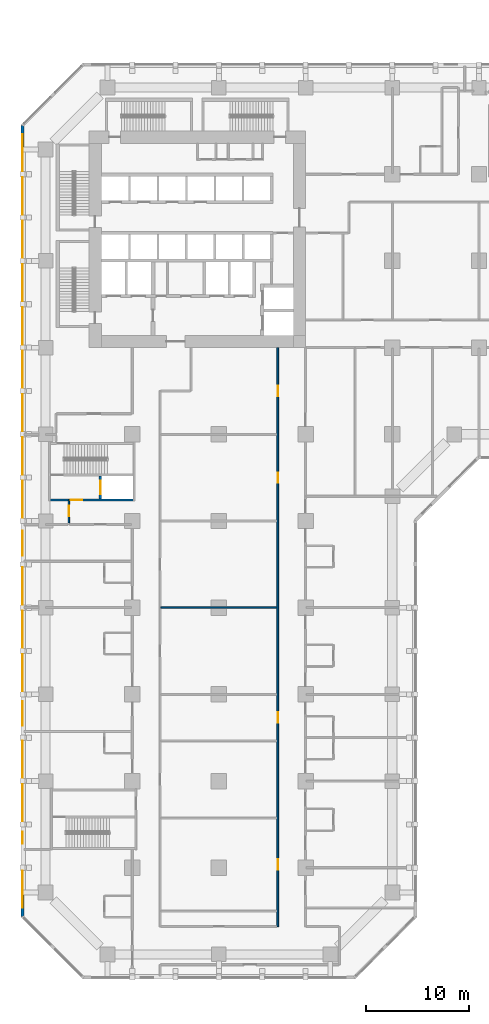
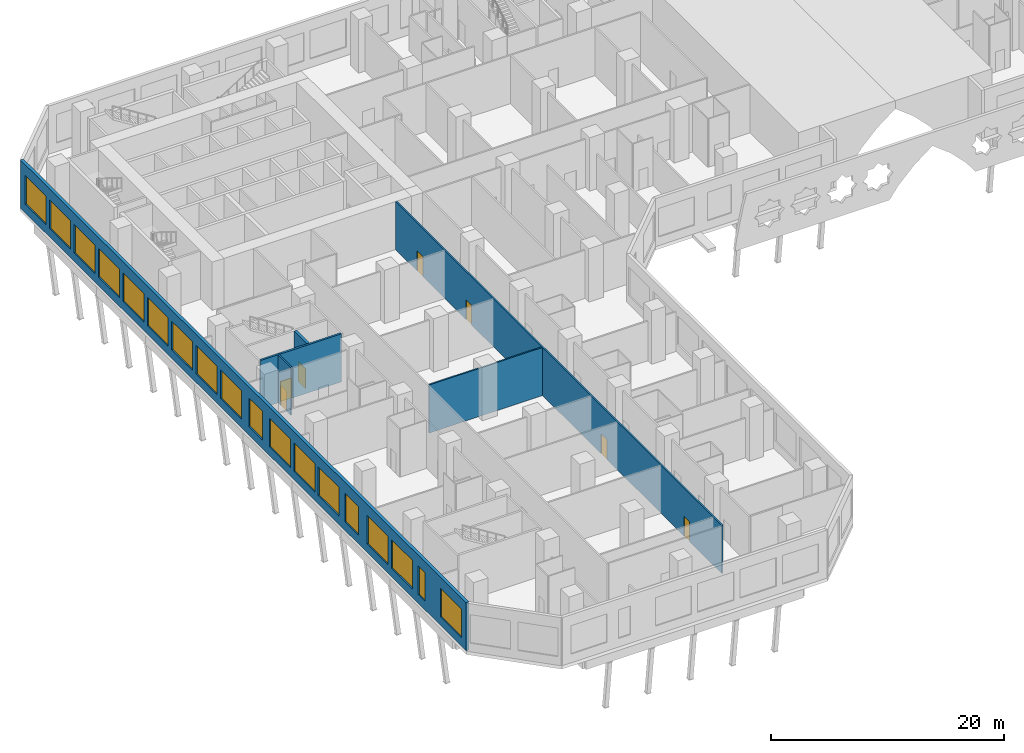
# One storey, part 6 of 24: 18 windows, 7 doors, 6 walls, 25 openings.
"""IFC4 building model written with IfcOpenShell, lengths in metres."""

from ifc_helpers import new_model, si_unit, direction, frame, frame_2d, origin, place, context, subcontext, project, spatial, rectangle, extrude, material, layer, layer_set, type_object, element, fill, save


model = new_model("IFC4")

# Units and contexts
model_context = context("Model", 3, precision=1e-05, world=origin(), true_north=direction((0.0, 1.0)))
body_context = subcontext(model_context, "Body", "Model", "MODEL_VIEW")
ifc_project = project(units=[si_unit("LENGTHUNIT", "METRE"), si_unit("AREAUNIT", "SQUARE_METRE"), si_unit("VOLUMEUNIT", "CUBIC_METRE"), si_unit("PLANEANGLEUNIT", "RADIAN"), si_unit("MASSUNIT", "GRAM", prefix="KILO")], contexts=[model_context])

# Site, building, storey
site_placement = place(None, origin())
site = spatial("IfcSite", under=ifc_project, at=site_placement, CompositionType="ELEMENT")
building_placement = place(site_placement, origin())
building = spatial("IfcBuilding", under=site, at=building_placement, Name="Kawkab Arch Medical Tower", CompositionType="ELEMENT")
storey_placement = place(building_placement, frame((0.0, 0.0, 18.199951171875)))
storey = spatial("IfcBuildingStorey", under=building, at=storey_placement, Name="L04", CompositionType="ELEMENT", Elevation=18.199951171875)

# Wall, opening, door
ifc_material_1 = material(Name="Concrete C60/75", Category="concrete")
ifc_layer_1 = layer(ifc_material_1, 0.25)
ifc_layer_set_1 = layer_set([ifc_layer_1], Name="Concrete C60/75")
wall_type_1 = type_object("IfcWallType", Name="Core shear wall 250 C60/75", PredefinedType="SHEAR", material=ifc_layer_set_1)
wall_1_placement = place(storey_placement, frame((5.300048828125, -39.85009765625, 0.0), z_axis=(0.0, 0.0, 1.0), x_axis=(0.0, 1.0, 0.0)))
wall_1 = element("IfcWall", 1, at=wall_1_placement, inside=storey, type_object=wall_type_1, Name="L04 core shear wall", PredefinedType="SHEAR", context=body_context, shape_type="SweptSolid", body=[
    extrude(rectangle(XDim=2.2001953125, YDim=0.25, at=frame_2d((1.10009765625, 0.0))), origin(), (0.0, 0.0, 1.0), 5.050048828125),
])
opening_1_placement = place(wall_1_placement, frame((0.449951171875, 0.0, 0.0)))
opening_1 = element("IfcOpeningElement", 2, at=opening_1_placement, cuts=wall_1, Name="Opening LD2", PredefinedType="OPENING", context=body_context, shape_type="SweptSolid", body=[
    extrude(rectangle(XDim=1.300048828125, YDim=2.10009765625, at=frame_2d((0.64990234375, 1.050048828125))), frame((0.0, 0.135009765625, 0.0), z_axis=(0.0, -1.0, 0.0), x_axis=(1.0, 0.0, 0.0)), (0.0, 0.0, 1.0), 0.27001953125),
])
ifc_material_2 = material(Name="Stainless steel lift door leaf", Category="steel")
door_type_1 = type_object("IfcDoorType", Name="Lift landing door 1300", OperationType="DOUBLE_DOOR_SLIDING", PredefinedType="DOOR", material=ifc_material_2)
door_1_placement = place(opening_1_placement, origin())
door_1 = element("IfcDoor", 3, at=door_1_placement, inside=storey, type_object=door_type_1, Name="L04 Lift landing door SV2", OperationType="DOUBLE_DOOR_SLIDING", OverallHeight=2.10009765625, OverallWidth=1.300048828125, PredefinedType="DOOR", context=body_context, shape_type="SweptSolid", body=[
    extrude(rectangle(XDim=1.300048828125, YDim=2.10009765625, at=frame_2d((0.64990234375, 1.050048828125))), frame((0.0, 0.02490234375, 0.0), z_axis=(0.0, -1.0, 0.0), x_axis=(1.0, 0.0, 0.0)), (0.0, 0.0, 1.0), 0.050048828125),
])
fill(opening_1, door_1)

# Wall
ifc_material_3 = material(Name="Gypsum board partition on steel studs, mineral wool", Category="steel")
ifc_layer_2 = layer(ifc_material_3, 0.14990234375)
ifc_layer_set_2 = layer_set([ifc_layer_2], Name="Gypsum board partition on steel studs, mineral wool")
wall_type_2 = type_object("IfcWallType", Name="Partition 150", PredefinedType="PARTITIONING", material=ifc_layer_set_2)
wall_2_placement = place(storey_placement, frame((11.175048828125, -50.39990234375, 0.0), z_axis=(0.0, 0.0, 1.0), x_axis=(1.0, 0.0, 0.0)))
element("IfcWall", 4, at=wall_2_placement, inside=storey, type_object=wall_type_2, Name="Partition 150 w058", PredefinedType="PARTITIONING", context=body_context, shape_type="SweptSolid", body=[
    extrude(rectangle(XDim=11.25, YDim=0.14990234375, at=frame_2d((5.625, 0.0))), origin(), (0.0, 0.0, 1.0), 5.050048828125),
])

# Wall, opening, door
wall_3_placement = place(storey_placement, frame((2.25, -42.215087890625, 0.0), z_axis=(0.0, 0.0, 1.0), x_axis=(0.0, 1.0, 0.0)))
wall_3 = element("IfcWall", 5, at=wall_3_placement, inside=storey, type_object=wall_type_2, Name="Partition 150 w090", PredefinedType="PARTITIONING", context=body_context, shape_type="SweptSolid", body=[
    extrude(rectangle(XDim=2.215087890625, YDim=0.14990234375, at=frame_2d((1.107421875, 0.0))), origin(), (0.0, 0.0, 1.0), 5.050048828125),
])
opening_2_placement = place(wall_3_placement, frame((0.68994140625, 0.0, 0.0)))
opening_2 = element("IfcOpeningElement", 6, at=opening_2_placement, cuts=wall_3, Name="Opening P04-027", PredefinedType="OPENING", context=body_context, shape_type="SweptSolid", body=[
    extrude(rectangle(XDim=1.0, YDim=2.10009765625, at=frame_2d((0.5, 1.050048828125))), frame((0.0, 0.0849609375, 0.0), z_axis=(0.0, -1.0, 0.0), x_axis=(1.0, 0.0, 0.0)), (0.0, 0.0, 1.0), 0.169921875),
])
ifc_material_4 = material(Name="Hollow metal door leaf")
door_type_2 = type_object("IfcDoorType", Name="Single door 1000x2100 FD30S", OperationType="NOTDEFINED", PredefinedType="DOOR", material=ifc_material_4)
door_2_placement = place(opening_2_placement, origin())
door_2 = element("IfcDoor", 7, at=door_2_placement, inside=storey, type_object=door_type_2, Name="Door P04-027", OperationType="SINGLE_SWING_RIGHT", OverallHeight=2.10009765625, OverallWidth=1.0, PredefinedType="DOOR", context=body_context, shape_type="SweptSolid", body=[
    extrude(rectangle(XDim=1.0, YDim=2.10009765625, at=frame_2d((0.5, 1.050048828125))), frame((0.0, 0.02490234375, 0.0), z_axis=(0.0, -1.0, 0.0), x_axis=(1.0, 0.0, 0.0)), (0.0, 0.0, 1.0), 0.050048828125),
])
fill(opening_2, door_2)

# Wall, openings, doors
wall_4_placement = place(storey_placement, frame((22.5, -81.300048828125, 0.0), z_axis=(0.0, 0.0, 1.0), x_axis=(0.0, 1.0, 0.0)))
wall_4 = element("IfcWall", 8, at=wall_4_placement, inside=storey, type_object=wall_type_2, Name="Partition 150 w097", PredefinedType="PARTITIONING", context=body_context, shape_type="SweptSolid", body=[
    extrude(rectangle(XDim=56.10009765625, YDim=0.14990234375, at=frame_2d((28.050048828125, 0.0))), origin(), (0.0, 0.0, 1.0), 5.050048828125),
])
opening_3_placement = place(wall_4_placement, frame((51.39990234375, 0.0, 0.0)))
opening_3 = element("IfcOpeningElement", 9, at=opening_3_placement, cuts=wall_4, Name="Opening P04-029", PredefinedType="OPENING", context=body_context, shape_type="SweptSolid", body=[
    extrude(rectangle(XDim=1.0, YDim=2.10009765625, at=frame_2d((0.5, 1.050048828125))), frame((0.0, 0.0849609375, 0.0), z_axis=(0.0, -1.0, 0.0), x_axis=(1.0, 0.0, 0.0)), (0.0, 0.0, 1.0), 0.169921875),
])
opening_4_placement = place(wall_4_placement, frame((43.0, 0.0, 0.0)))
opening_4 = element("IfcOpeningElement", 10, at=opening_4_placement, cuts=wall_4, Name="Opening P04-030", PredefinedType="OPENING", context=body_context, shape_type="SweptSolid", body=[
    extrude(rectangle(XDim=1.0, YDim=2.10009765625, at=frame_2d((0.5, 1.050048828125))), frame((0.0, 0.0849609375, 0.0), z_axis=(0.0, -1.0, 0.0), x_axis=(1.0, 0.0, 0.0)), (0.0, 0.0, 1.0), 0.169921875),
])
opening_5_placement = place(wall_4_placement, frame((19.75, 0.0, 0.0)))
opening_5 = element("IfcOpeningElement", 11, at=opening_5_placement, cuts=wall_4, Name="Opening P04-033", PredefinedType="OPENING", context=body_context, shape_type="SweptSolid", body=[
    extrude(rectangle(XDim=1.0, YDim=2.10009765625, at=frame_2d((0.5, 1.050048828125))), frame((0.0, 0.0849609375, 0.0), z_axis=(0.0, -1.0, 0.0), x_axis=(1.0, 0.0, 0.0)), (0.0, 0.0, 1.0), 0.169921875),
])
opening_6_placement = place(wall_4_placement, frame((5.5, 0.0, 0.0)))
opening_6 = element("IfcOpeningElement", 12, at=opening_6_placement, cuts=wall_4, Name="Opening P04-035", PredefinedType="OPENING", context=body_context, shape_type="SweptSolid", body=[
    extrude(rectangle(XDim=1.0, YDim=2.10009765625, at=frame_2d((0.5, 1.050048828125))), frame((0.0, 0.0849609375, 0.0), z_axis=(0.0, -1.0, 0.0), x_axis=(1.0, 0.0, 0.0)), (0.0, 0.0, 1.0), 0.169921875),
])
door_3_placement = place(opening_3_placement, origin())
door_3 = element("IfcDoor", 13, at=door_3_placement, inside=storey, type_object=door_type_2, Name="Door P04-029", OperationType="SINGLE_SWING_RIGHT", OverallHeight=2.10009765625, OverallWidth=1.0, PredefinedType="DOOR", context=body_context, shape_type="SweptSolid", body=[
    extrude(rectangle(XDim=1.0, YDim=2.10009765625, at=frame_2d((0.5, 1.050048828125))), frame((0.0, 0.02490234375, 0.0), z_axis=(0.0, -1.0, 0.0), x_axis=(1.0, 0.0, 0.0)), (0.0, 0.0, 1.0), 0.050048828125),
])
fill(opening_3, door_3)
door_4_placement = place(opening_4_placement, origin())
door_4 = element("IfcDoor", 14, at=door_4_placement, inside=storey, type_object=door_type_2, Name="Door P04-030", OperationType="SINGLE_SWING_RIGHT", OverallHeight=2.10009765625, OverallWidth=1.0, PredefinedType="DOOR", context=body_context, shape_type="SweptSolid", body=[
    extrude(rectangle(XDim=1.0, YDim=2.10009765625, at=frame_2d((0.5, 1.050048828125))), frame((0.0, 0.02490234375, 0.0), z_axis=(0.0, -1.0, 0.0), x_axis=(1.0, 0.0, 0.0)), (0.0, 0.0, 1.0), 0.050048828125),
])
fill(opening_4, door_4)
door_5_placement = place(opening_5_placement, origin())
door_5 = element("IfcDoor", 15, at=door_5_placement, inside=storey, type_object=door_type_2, Name="Door P04-033", OperationType="SINGLE_SWING_LEFT", OverallHeight=2.10009765625, OverallWidth=1.0, PredefinedType="DOOR", context=body_context, shape_type="SweptSolid", body=[
    extrude(rectangle(XDim=1.0, YDim=2.10009765625, at=frame_2d((0.5, 1.050048828125))), frame((0.0, 0.02490234375, 0.0), z_axis=(0.0, -1.0, 0.0), x_axis=(1.0, 0.0, 0.0)), (0.0, 0.0, 1.0), 0.050048828125),
])
fill(opening_5, door_5)
door_6_placement = place(opening_6_placement, origin())
door_6 = element("IfcDoor", 16, at=door_6_placement, inside=storey, type_object=door_type_2, Name="Door P04-035", OperationType="SINGLE_SWING_LEFT", OverallHeight=2.10009765625, OverallWidth=1.0, PredefinedType="DOOR", context=body_context, shape_type="SweptSolid", body=[
    extrude(rectangle(XDim=1.0, YDim=2.10009765625, at=frame_2d((0.5, 1.050048828125))), frame((0.0, 0.02490234375, 0.0), z_axis=(0.0, -1.0, 0.0), x_axis=(1.0, 0.0, 0.0)), (0.0, 0.0, 1.0), 0.050048828125),
])
fill(opening_6, door_6)

# Wall, openings, windows
ifc_material_5 = material(Name="Bronze clad insulated wall panel")
ifc_layer_3 = layer(ifc_material_5, 0.300048828125)
ifc_layer_set_3 = layer_set([ifc_layer_3], Name="Bronze clad insulated wall panel")
wall_type_3 = type_object("IfcWallType", Name="Podium external wall 300", PredefinedType="SOLIDWALL", material=ifc_layer_set_3)
wall_5_placement = place(storey_placement, frame((-2.25, -3.662109375, 0.0), z_axis=(0.0, 0.0, 1.0), x_axis=(0.0, -1.0, 0.0)))
wall_5 = element("IfcWall", 17, at=wall_5_placement, inside=storey, type_object=wall_type_3, Name="Podium external wall L04 R07", PredefinedType="SOLIDWALL", context=body_context, shape_type="SweptSolid", body=[
    extrude(rectangle(XDim=76.67578125, YDim=0.300048828125, at=frame_2d((38.337890625, 0.0))), origin(), (0.0, 0.0, 1.0), 5.050048828125),
])
opening_7_placement = place(wall_5_placement, frame((0.837890625, 0.0, 0.89990234375)))
opening_7 = element("IfcOpeningElement", 18, at=opening_7_placement, cuts=wall_5, Name="Opening PBW360-30-S9", PredefinedType="OPENING", context=body_context, shape_type="SweptSolid", body=[
    extrude(rectangle(XDim=3.60009765625, YDim=3.0, at=frame_2d((1.800048828125, 1.5))), frame((0.0, 0.159912109375, 0.0), z_axis=(0.0, -1.0, 0.0), x_axis=(1.0, 0.0, 0.0)), (0.0, 0.0, 1.0), 0.320068359375),
])
opening_8_placement = place(wall_5_placement, frame((5.037841796875, 0.0, 0.89990234375)))
opening_8 = element("IfcOpeningElement", 19, at=opening_8_placement, cuts=wall_5, Name="Opening PBW360-30-S9", PredefinedType="OPENING", context=body_context, shape_type="SweptSolid", body=[
    extrude(rectangle(XDim=3.60009765625, YDim=3.0, at=frame_2d((1.800048828125, 1.5))), frame((0.0, 0.159912109375, 0.0), z_axis=(0.0, -1.0, 0.0), x_axis=(1.0, 0.0, 0.0)), (0.0, 0.0, 1.0), 0.320068359375),
])
opening_9_placement = place(wall_5_placement, frame((9.23779296875, 0.0, 0.89990234375)))
opening_9 = element("IfcOpeningElement", 20, at=opening_9_placement, cuts=wall_5, Name="Opening PBW360-30-S9", PredefinedType="OPENING", context=body_context, shape_type="SweptSolid", body=[
    extrude(rectangle(XDim=3.60009765625, YDim=3.0, at=frame_2d((1.800048828125, 1.5))), frame((0.0, 0.159912109375, 0.0), z_axis=(0.0, -1.0, 0.0), x_axis=(1.0, 0.0, 0.0)), (0.0, 0.0, 1.0), 0.320068359375),
])
opening_10_placement = place(wall_5_placement, frame((13.43798828125, 0.0, 0.89990234375)))
opening_10 = element("IfcOpeningElement", 21, at=opening_10_placement, cuts=wall_5, Name="Opening PBW360-30-S9", PredefinedType="OPENING", context=body_context, shape_type="SweptSolid", body=[
    extrude(rectangle(XDim=3.60009765625, YDim=3.0, at=frame_2d((1.800048828125, 1.5))), frame((0.0, 0.159912109375, 0.0), z_axis=(0.0, -1.0, 0.0), x_axis=(1.0, 0.0, 0.0)), (0.0, 0.0, 1.0), 0.320068359375),
])
opening_11_placement = place(wall_5_placement, frame((17.637939453125, 0.0, 0.89990234375)))
opening_11 = element("IfcOpeningElement", 22, at=opening_11_placement, cuts=wall_5, Name="Opening PBW360-30-S9", PredefinedType="OPENING", context=body_context, shape_type="SweptSolid", body=[
    extrude(rectangle(XDim=3.60009765625, YDim=3.0, at=frame_2d((1.800048828125, 1.5))), frame((0.0, 0.159912109375, 0.0), z_axis=(0.0, -1.0, 0.0), x_axis=(1.0, 0.0, 0.0)), (0.0, 0.0, 1.0), 0.320068359375),
])
opening_12_placement = place(wall_5_placement, frame((21.837890625, 0.0, 0.89990234375)))
opening_12 = element("IfcOpeningElement", 23, at=opening_12_placement, cuts=wall_5, Name="Opening PBW360-30-S9", PredefinedType="OPENING", context=body_context, shape_type="SweptSolid", body=[
    extrude(rectangle(XDim=3.60009765625, YDim=3.0, at=frame_2d((1.800048828125, 1.5))), frame((0.0, 0.159912109375, 0.0), z_axis=(0.0, -1.0, 0.0), x_axis=(1.0, 0.0, 0.0)), (0.0, 0.0, 1.0), 0.320068359375),
])
opening_13_placement = place(wall_5_placement, frame((26.037841796875, 0.0, 0.89990234375)))
opening_13 = element("IfcOpeningElement", 24, at=opening_13_placement, cuts=wall_5, Name="Opening PBW360-30-S9", PredefinedType="OPENING", context=body_context, shape_type="SweptSolid", body=[
    extrude(rectangle(XDim=3.60009765625, YDim=3.0, at=frame_2d((1.800048828125, 1.5))), frame((0.0, 0.159912109375, 0.0), z_axis=(0.0, -1.0, 0.0), x_axis=(1.0, 0.0, 0.0)), (0.0, 0.0, 1.0), 0.320068359375),
])
opening_14_placement = place(wall_5_placement, frame((30.23779296875, 0.0, 0.89990234375)))
opening_14 = element("IfcOpeningElement", 25, at=opening_14_placement, cuts=wall_5, Name="Opening PBW360-30-S9", PredefinedType="OPENING", context=body_context, shape_type="SweptSolid", body=[
    extrude(rectangle(XDim=3.60009765625, YDim=3.0, at=frame_2d((1.800048828125, 1.5))), frame((0.0, 0.159912109375, 0.0), z_axis=(0.0, -1.0, 0.0), x_axis=(1.0, 0.0, 0.0)), (0.0, 0.0, 1.0), 0.320068359375),
])
opening_15_placement = place(wall_5_placement, frame((34.43798828125, 0.0, 0.89990234375)))
opening_15 = element("IfcOpeningElement", 26, at=opening_15_placement, cuts=wall_5, Name="Opening PBW360-30-S9", PredefinedType="OPENING", context=body_context, shape_type="SweptSolid", body=[
    extrude(rectangle(XDim=3.60009765625, YDim=3.0, at=frame_2d((1.800048828125, 1.5))), frame((0.0, 0.159912109375, 0.0), z_axis=(0.0, -1.0, 0.0), x_axis=(1.0, 0.0, 0.0)), (0.0, 0.0, 1.0), 0.320068359375),
])
opening_16_placement = place(wall_5_placement, frame((39.287841796875, 0.0, 0.89990234375)))
opening_16 = element("IfcOpeningElement", 27, at=opening_16_placement, cuts=wall_5, Name="Opening PBW240-30-S9", PredefinedType="OPENING", context=body_context, shape_type="SweptSolid", body=[
    extrude(rectangle(XDim=2.39990234375, YDim=3.0, at=frame_2d((1.199951171875, 1.5))), frame((0.0, 0.159912109375, 0.0), z_axis=(0.0, -1.0, 0.0), x_axis=(1.0, 0.0, 0.0)), (0.0, 0.0, 1.0), 0.320068359375),
])
opening_17_placement = place(wall_5_placement, frame((42.837890625, 0.0, 0.89990234375)))
opening_17 = element("IfcOpeningElement", 28, at=opening_17_placement, cuts=wall_5, Name="Opening PBW360-30-S9", PredefinedType="OPENING", context=body_context, shape_type="SweptSolid", body=[
    extrude(rectangle(XDim=3.60009765625, YDim=3.0, at=frame_2d((1.800048828125, 1.5))), frame((0.0, 0.159912109375, 0.0), z_axis=(0.0, -1.0, 0.0), x_axis=(1.0, 0.0, 0.0)), (0.0, 0.0, 1.0), 0.320068359375),
])
opening_18_placement = place(wall_5_placement, frame((47.037841796875, 0.0, 0.89990234375)))
opening_18 = element("IfcOpeningElement", 29, at=opening_18_placement, cuts=wall_5, Name="Opening PBW360-30-S9", PredefinedType="OPENING", context=body_context, shape_type="SweptSolid", body=[
    extrude(rectangle(XDim=3.60009765625, YDim=3.0, at=frame_2d((1.800048828125, 1.5))), frame((0.0, 0.159912109375, 0.0), z_axis=(0.0, -1.0, 0.0), x_axis=(1.0, 0.0, 0.0)), (0.0, 0.0, 1.0), 0.320068359375),
])
opening_19_placement = place(wall_5_placement, frame((51.23779296875, 0.0, 0.89990234375)))
opening_19 = element("IfcOpeningElement", 30, at=opening_19_placement, cuts=wall_5, Name="Opening PBW360-30-S9", PredefinedType="OPENING", context=body_context, shape_type="SweptSolid", body=[
    extrude(rectangle(XDim=3.60009765625, YDim=3.0, at=frame_2d((1.800048828125, 1.5))), frame((0.0, 0.159912109375, 0.0), z_axis=(0.0, -1.0, 0.0), x_axis=(1.0, 0.0, 0.0)), (0.0, 0.0, 1.0), 0.320068359375),
])
opening_20_placement = place(wall_5_placement, frame((55.802978515625, 0.0, 0.89990234375)))
opening_20 = element("IfcOpeningElement", 31, at=opening_20_placement, cuts=wall_5, Name="Opening PBW240-30-S9", PredefinedType="OPENING", context=body_context, shape_type="SweptSolid", body=[
    extrude(rectangle(XDim=2.39990234375, YDim=3.0, at=frame_2d((1.199951171875, 1.5))), frame((0.0, 0.159912109375, 0.0), z_axis=(0.0, -1.0, 0.0), x_axis=(1.0, 0.0, 0.0)), (0.0, 0.0, 1.0), 0.320068359375),
])
opening_21_placement = place(wall_5_placement, frame((59.637939453125, 0.0, 0.89990234375)))
opening_21 = element("IfcOpeningElement", 32, at=opening_21_placement, cuts=wall_5, Name="Opening PBW360-30-S9", PredefinedType="OPENING", context=body_context, shape_type="SweptSolid", body=[
    extrude(rectangle(XDim=3.60009765625, YDim=3.0, at=frame_2d((1.800048828125, 1.5))), frame((0.0, 0.159912109375, 0.0), z_axis=(0.0, -1.0, 0.0), x_axis=(1.0, 0.0, 0.0)), (0.0, 0.0, 1.0), 0.320068359375),
])
opening_22_placement = place(wall_5_placement, frame((63.837890625, 0.0, 0.89990234375)))
opening_22 = element("IfcOpeningElement", 33, at=opening_22_placement, cuts=wall_5, Name="Opening PBW360-30-S9", PredefinedType="OPENING", context=body_context, shape_type="SweptSolid", body=[
    extrude(rectangle(XDim=3.60009765625, YDim=3.0, at=frame_2d((1.800048828125, 1.5))), frame((0.0, 0.159912109375, 0.0), z_axis=(0.0, -1.0, 0.0), x_axis=(1.0, 0.0, 0.0)), (0.0, 0.0, 1.0), 0.320068359375),
])
opening_23_placement = place(wall_5_placement, frame((68.43798828125, 0.0, 0.89990234375)))
opening_23 = element("IfcOpeningElement", 34, at=opening_23_placement, cuts=wall_5, Name="Opening PBW120-30-S9", PredefinedType="OPENING", context=body_context, shape_type="SweptSolid", body=[
    extrude(rectangle(XDim=1.199951171875, YDim=3.0, at=frame_2d((0.60009765625, 1.5))), frame((0.0, 0.159912109375, 0.0), z_axis=(0.0, -1.0, 0.0), x_axis=(1.0, 0.0, 0.0)), (0.0, 0.0, 1.0), 0.320068359375),
])
opening_24_placement = place(wall_5_placement, frame((72.23779296875, 0.0, 0.89990234375)))
opening_24 = element("IfcOpeningElement", 35, at=opening_24_placement, cuts=wall_5, Name="Opening PBW360-30-S9", PredefinedType="OPENING", context=body_context, shape_type="SweptSolid", body=[
    extrude(rectangle(XDim=3.60009765625, YDim=3.0, at=frame_2d((1.800048828125, 1.5))), frame((0.0, 0.159912109375, 0.0), z_axis=(0.0, -1.0, 0.0), x_axis=(1.0, 0.0, 0.0)), (0.0, 0.0, 1.0), 0.320068359375),
])
ifc_material_6 = material(Name="Bronze anodised aluminium louvred window", Category="aluminium")
window_type_1 = type_object("IfcWindowType", Name="Podium band window 1200 x 3000 sill 900", PartitioningType="DOUBLE_PANEL_VERTICAL", PredefinedType="WINDOW", material=ifc_material_6)
window_1_placement = place(opening_23_placement, origin())
window_1 = element("IfcWindow", 36, at=window_1_placement, inside=storey, type_object=window_type_1, Name="Band window L04 R07.17", OverallHeight=3.0, OverallWidth=1.199951171875, PartitioningType="SINGLE_PANEL", PredefinedType="WINDOW", context=body_context, shape_type="SweptSolid", body=[
    extrude(rectangle(XDim=1.199951171875, YDim=3.0, at=frame_2d((0.60009765625, 1.5))), frame((0.0, 0.030029296875, 0.0), z_axis=(0.0, -1.0, 0.0), x_axis=(1.0, 0.0, 0.0)), (0.0, 0.0, 1.0), 0.06005859375),
])
fill(opening_23, window_1)
ifc_material_7 = material(Name="Bronze anodised aluminium louvred window", Category="aluminium")
window_type_2 = type_object("IfcWindowType", Name="Podium band window 2400 x 3000 sill 900", PartitioningType="DOUBLE_PANEL_VERTICAL", PredefinedType="WINDOW", material=ifc_material_7)
window_2_placement = place(opening_16_placement, origin())
window_2 = element("IfcWindow", 37, at=window_2_placement, inside=storey, type_object=window_type_2, Name="Band window L04 R07.10", OverallHeight=3.0, OverallWidth=2.39990234375, PartitioningType="SINGLE_PANEL", PredefinedType="WINDOW", context=body_context, shape_type="SweptSolid", body=[
    extrude(rectangle(XDim=2.39990234375, YDim=3.0, at=frame_2d((1.199951171875, 1.5))), frame((0.0, 0.030029296875, 0.0), z_axis=(0.0, -1.0, 0.0), x_axis=(1.0, 0.0, 0.0)), (0.0, 0.0, 1.0), 0.06005859375),
])
fill(opening_16, window_2)
window_3_placement = place(opening_20_placement, origin())
window_3 = element("IfcWindow", 38, at=window_3_placement, inside=storey, type_object=window_type_2, Name="Band window L04 R07.14", OverallHeight=3.0, OverallWidth=2.39990234375, PartitioningType="SINGLE_PANEL", PredefinedType="WINDOW", context=body_context, shape_type="SweptSolid", body=[
    extrude(rectangle(XDim=2.39990234375, YDim=3.0, at=frame_2d((1.199951171875, 1.5))), frame((0.0, 0.030029296875, 0.0), z_axis=(0.0, -1.0, 0.0), x_axis=(1.0, 0.0, 0.0)), (0.0, 0.0, 1.0), 0.06005859375),
])
fill(opening_20, window_3)
ifc_material_8 = material(Name="Bronze anodised aluminium louvred window", Category="aluminium")
window_type_3 = type_object("IfcWindowType", Name="Podium band window 3600 x 3000 sill 900", PartitioningType="DOUBLE_PANEL_VERTICAL", PredefinedType="WINDOW", material=ifc_material_8)
window_4_placement = place(opening_7_placement, origin())
window_4 = element("IfcWindow", 39, at=window_4_placement, inside=storey, type_object=window_type_3, Name="Band window L04 R07.1", OverallHeight=3.0, OverallWidth=3.60009765625, PartitioningType="SINGLE_PANEL", PredefinedType="WINDOW", context=body_context, shape_type="SweptSolid", body=[
    extrude(rectangle(XDim=3.60009765625, YDim=3.0, at=frame_2d((1.800048828125, 1.5))), frame((0.0, 0.030029296875, 0.0), z_axis=(0.0, -1.0, 0.0), x_axis=(1.0, 0.0, 0.0)), (0.0, 0.0, 1.0), 0.06005859375),
])
fill(opening_7, window_4)
window_5_placement = place(opening_8_placement, origin())
window_5 = element("IfcWindow", 40, at=window_5_placement, inside=storey, type_object=window_type_3, Name="Band window L04 R07.2", OverallHeight=3.0, OverallWidth=3.60009765625, PartitioningType="SINGLE_PANEL", PredefinedType="WINDOW", context=body_context, shape_type="SweptSolid", body=[
    extrude(rectangle(XDim=3.60009765625, YDim=3.0, at=frame_2d((1.800048828125, 1.5))), frame((0.0, 0.030029296875, 0.0), z_axis=(0.0, -1.0, 0.0), x_axis=(1.0, 0.0, 0.0)), (0.0, 0.0, 1.0), 0.06005859375),
])
fill(opening_8, window_5)
window_6_placement = place(opening_9_placement, origin())
window_6 = element("IfcWindow", 41, at=window_6_placement, inside=storey, type_object=window_type_3, Name="Band window L04 R07.3", OverallHeight=3.0, OverallWidth=3.60009765625, PartitioningType="SINGLE_PANEL", PredefinedType="WINDOW", context=body_context, shape_type="SweptSolid", body=[
    extrude(rectangle(XDim=3.60009765625, YDim=3.0, at=frame_2d((1.800048828125, 1.5))), frame((0.0, 0.030029296875, 0.0), z_axis=(0.0, -1.0, 0.0), x_axis=(1.0, 0.0, 0.0)), (0.0, 0.0, 1.0), 0.06005859375),
])
fill(opening_9, window_6)
window_7_placement = place(opening_10_placement, origin())
window_7 = element("IfcWindow", 42, at=window_7_placement, inside=storey, type_object=window_type_3, Name="Band window L04 R07.4", OverallHeight=3.0, OverallWidth=3.60009765625, PartitioningType="SINGLE_PANEL", PredefinedType="WINDOW", context=body_context, shape_type="SweptSolid", body=[
    extrude(rectangle(XDim=3.60009765625, YDim=3.0, at=frame_2d((1.800048828125, 1.5))), frame((0.0, 0.030029296875, 0.0), z_axis=(0.0, -1.0, 0.0), x_axis=(1.0, 0.0, 0.0)), (0.0, 0.0, 1.0), 0.06005859375),
])
fill(opening_10, window_7)
window_8_placement = place(opening_11_placement, origin())
window_8 = element("IfcWindow", 43, at=window_8_placement, inside=storey, type_object=window_type_3, Name="Band window L04 R07.5", OverallHeight=3.0, OverallWidth=3.60009765625, PartitioningType="SINGLE_PANEL", PredefinedType="WINDOW", context=body_context, shape_type="SweptSolid", body=[
    extrude(rectangle(XDim=3.60009765625, YDim=3.0, at=frame_2d((1.800048828125, 1.5))), frame((0.0, 0.030029296875, 0.0), z_axis=(0.0, -1.0, 0.0), x_axis=(1.0, 0.0, 0.0)), (0.0, 0.0, 1.0), 0.06005859375),
])
fill(opening_11, window_8)
window_9_placement = place(opening_12_placement, origin())
window_9 = element("IfcWindow", 44, at=window_9_placement, inside=storey, type_object=window_type_3, Name="Band window L04 R07.6", OverallHeight=3.0, OverallWidth=3.60009765625, PartitioningType="SINGLE_PANEL", PredefinedType="WINDOW", context=body_context, shape_type="SweptSolid", body=[
    extrude(rectangle(XDim=3.60009765625, YDim=3.0, at=frame_2d((1.800048828125, 1.5))), frame((0.0, 0.030029296875, 0.0), z_axis=(0.0, -1.0, 0.0), x_axis=(1.0, 0.0, 0.0)), (0.0, 0.0, 1.0), 0.06005859375),
])
fill(opening_12, window_9)
window_10_placement = place(opening_13_placement, origin())
window_10 = element("IfcWindow", 45, at=window_10_placement, inside=storey, type_object=window_type_3, Name="Band window L04 R07.7", OverallHeight=3.0, OverallWidth=3.60009765625, PartitioningType="SINGLE_PANEL", PredefinedType="WINDOW", context=body_context, shape_type="SweptSolid", body=[
    extrude(rectangle(XDim=3.60009765625, YDim=3.0, at=frame_2d((1.800048828125, 1.5))), frame((0.0, 0.030029296875, 0.0), z_axis=(0.0, -1.0, 0.0), x_axis=(1.0, 0.0, 0.0)), (0.0, 0.0, 1.0), 0.06005859375),
])
fill(opening_13, window_10)
window_11_placement = place(opening_14_placement, origin())
window_11 = element("IfcWindow", 46, at=window_11_placement, inside=storey, type_object=window_type_3, Name="Band window L04 R07.8", OverallHeight=3.0, OverallWidth=3.60009765625, PartitioningType="SINGLE_PANEL", PredefinedType="WINDOW", context=body_context, shape_type="SweptSolid", body=[
    extrude(rectangle(XDim=3.60009765625, YDim=3.0, at=frame_2d((1.800048828125, 1.5))), frame((0.0, 0.030029296875, 0.0), z_axis=(0.0, -1.0, 0.0), x_axis=(1.0, 0.0, 0.0)), (0.0, 0.0, 1.0), 0.06005859375),
])
fill(opening_14, window_11)
window_12_placement = place(opening_15_placement, origin())
window_12 = element("IfcWindow", 47, at=window_12_placement, inside=storey, type_object=window_type_3, Name="Band window L04 R07.9", OverallHeight=3.0, OverallWidth=3.60009765625, PartitioningType="SINGLE_PANEL", PredefinedType="WINDOW", context=body_context, shape_type="SweptSolid", body=[
    extrude(rectangle(XDim=3.60009765625, YDim=3.0, at=frame_2d((1.800048828125, 1.5))), frame((0.0, 0.030029296875, 0.0), z_axis=(0.0, -1.0, 0.0), x_axis=(1.0, 0.0, 0.0)), (0.0, 0.0, 1.0), 0.06005859375),
])
fill(opening_15, window_12)
window_13_placement = place(opening_17_placement, origin())
window_13 = element("IfcWindow", 48, at=window_13_placement, inside=storey, type_object=window_type_3, Name="Band window L04 R07.11", OverallHeight=3.0, OverallWidth=3.60009765625, PartitioningType="SINGLE_PANEL", PredefinedType="WINDOW", context=body_context, shape_type="SweptSolid", body=[
    extrude(rectangle(XDim=3.60009765625, YDim=3.0, at=frame_2d((1.800048828125, 1.5))), frame((0.0, 0.030029296875, 0.0), z_axis=(0.0, -1.0, 0.0), x_axis=(1.0, 0.0, 0.0)), (0.0, 0.0, 1.0), 0.06005859375),
])
fill(opening_17, window_13)
window_14_placement = place(opening_18_placement, origin())
window_14 = element("IfcWindow", 49, at=window_14_placement, inside=storey, type_object=window_type_3, Name="Band window L04 R07.12", OverallHeight=3.0, OverallWidth=3.60009765625, PartitioningType="SINGLE_PANEL", PredefinedType="WINDOW", context=body_context, shape_type="SweptSolid", body=[
    extrude(rectangle(XDim=3.60009765625, YDim=3.0, at=frame_2d((1.800048828125, 1.5))), frame((0.0, 0.030029296875, 0.0), z_axis=(0.0, -1.0, 0.0), x_axis=(1.0, 0.0, 0.0)), (0.0, 0.0, 1.0), 0.06005859375),
])
fill(opening_18, window_14)
window_15_placement = place(opening_19_placement, origin())
window_15 = element("IfcWindow", 50, at=window_15_placement, inside=storey, type_object=window_type_3, Name="Band window L04 R07.13", OverallHeight=3.0, OverallWidth=3.60009765625, PartitioningType="SINGLE_PANEL", PredefinedType="WINDOW", context=body_context, shape_type="SweptSolid", body=[
    extrude(rectangle(XDim=3.60009765625, YDim=3.0, at=frame_2d((1.800048828125, 1.5))), frame((0.0, 0.030029296875, 0.0), z_axis=(0.0, -1.0, 0.0), x_axis=(1.0, 0.0, 0.0)), (0.0, 0.0, 1.0), 0.06005859375),
])
fill(opening_19, window_15)
window_16_placement = place(opening_21_placement, origin())
window_16 = element("IfcWindow", 51, at=window_16_placement, inside=storey, type_object=window_type_3, Name="Band window L04 R07.15", OverallHeight=3.0, OverallWidth=3.60009765625, PartitioningType="SINGLE_PANEL", PredefinedType="WINDOW", context=body_context, shape_type="SweptSolid", body=[
    extrude(rectangle(XDim=3.60009765625, YDim=3.0, at=frame_2d((1.800048828125, 1.5))), frame((0.0, 0.030029296875, 0.0), z_axis=(0.0, -1.0, 0.0), x_axis=(1.0, 0.0, 0.0)), (0.0, 0.0, 1.0), 0.06005859375),
])
fill(opening_21, window_16)
window_17_placement = place(opening_22_placement, origin())
window_17 = element("IfcWindow", 52, at=window_17_placement, inside=storey, type_object=window_type_3, Name="Band window L04 R07.16", OverallHeight=3.0, OverallWidth=3.60009765625, PartitioningType="SINGLE_PANEL", PredefinedType="WINDOW", context=body_context, shape_type="SweptSolid", body=[
    extrude(rectangle(XDim=3.60009765625, YDim=3.0, at=frame_2d((1.800048828125, 1.5))), frame((0.0, 0.030029296875, 0.0), z_axis=(0.0, -1.0, 0.0), x_axis=(1.0, 0.0, 0.0)), (0.0, 0.0, 1.0), 0.06005859375),
])
fill(opening_22, window_17)
window_18_placement = place(opening_24_placement, origin())
window_18 = element("IfcWindow", 53, at=window_18_placement, inside=storey, type_object=window_type_3, Name="Band window L04 R07.18", OverallHeight=3.0, OverallWidth=3.60009765625, PartitioningType="SINGLE_PANEL", PredefinedType="WINDOW", context=body_context, shape_type="SweptSolid", body=[
    extrude(rectangle(XDim=3.60009765625, YDim=3.0, at=frame_2d((1.800048828125, 1.5))), frame((0.0, 0.030029296875, 0.0), z_axis=(0.0, -1.0, 0.0), x_axis=(1.0, 0.0, 0.0)), (0.0, 0.0, 1.0), 0.06005859375),
])
fill(opening_24, window_18)

# Wall, opening, door
ifc_material_9 = material(Name="Concrete C50/60", Category="concrete")
ifc_layer_4 = layer(ifc_material_9, 0.199951171875)
ifc_layer_set_4 = layer_set([ifc_layer_4], Name="Concrete C50/60")
wall_type_4 = type_object("IfcWallType", Name="Stair enclosure wall 200 C50/60", PredefinedType="SHEAR", material=ifc_layer_set_4)
wall_6_placement = place(storey_placement, frame((0.449951171875, -39.949951171875, 0.0), z_axis=(0.0, 0.0, 1.0), x_axis=(1.0, 0.0, 0.0)))
wall_6 = element("IfcWall", 54, at=wall_6_placement, inside=storey, type_object=wall_type_4, Name="L04 stair enclosure wall", PredefinedType="SHEAR", context=body_context, shape_type="SweptSolid", body=[
    extrude(rectangle(XDim=8.050048828125, YDim=0.199951171875, at=frame_2d((4.02490234375, 0.0))), origin(), (0.0, 0.0, 1.0), 5.050048828125),
])
opening_25_placement = place(wall_6_placement, frame((2.0, 0.0, 0.0)))
opening_25 = element("IfcOpeningElement", 55, at=opening_25_placement, cuts=wall_6, Name="Opening FD", PredefinedType="OPENING", context=body_context, shape_type="SweptSolid", body=[
    extrude(rectangle(XDim=1.10009765625, YDim=2.10009765625, at=frame_2d((0.550048828125, 1.050048828125))), frame((0.0, 0.10986328125, 0.0), z_axis=(0.0, -1.0, 0.0), x_axis=(1.0, 0.0, 0.0)), (0.0, 0.0, 1.0), 0.219970703125),
])
ifc_material_10 = material(Name="Hollow metal fire door leaf")
door_type_3 = type_object("IfcDoorType", Name="Firefighting lobby door 1100", OperationType="SINGLE_SWING_LEFT", PredefinedType="DOOR", material=ifc_material_10)
door_7_placement = place(opening_25_placement, origin())
door_7 = element("IfcDoor", 56, at=door_7_placement, inside=storey, type_object=door_type_3, Name="L04 Service lift lobby door SV2", OperationType="SINGLE_SWING_LEFT", OverallHeight=2.10009765625, OverallWidth=1.10009765625, PredefinedType="DOOR", context=body_context, shape_type="SweptSolid", body=[
    extrude(rectangle(XDim=1.10009765625, YDim=2.10009765625, at=frame_2d((0.550048828125, 1.050048828125))), frame((0.0, 0.02490234375, 0.0), z_axis=(0.0, -1.0, 0.0), x_axis=(1.0, 0.0, 0.0)), (0.0, 0.0, 1.0), 0.050048828125),
])
fill(opening_25, door_7)

save(model, "model.ifc")
